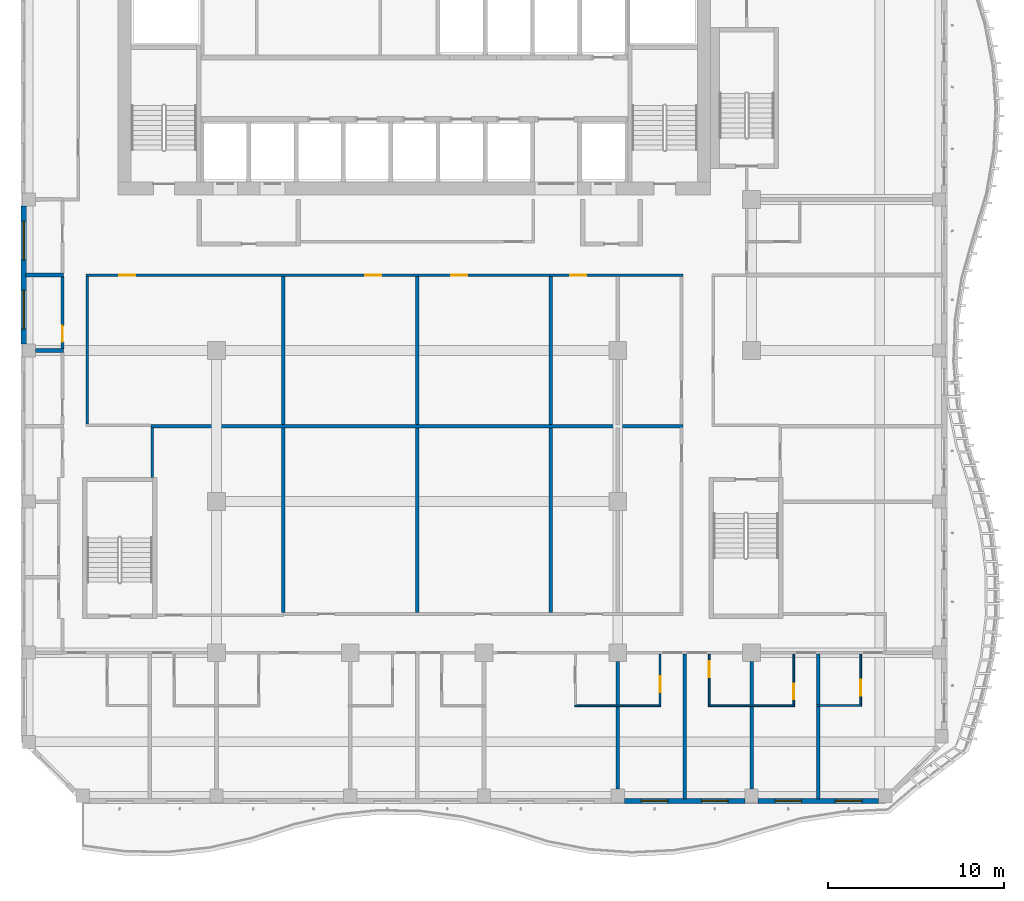
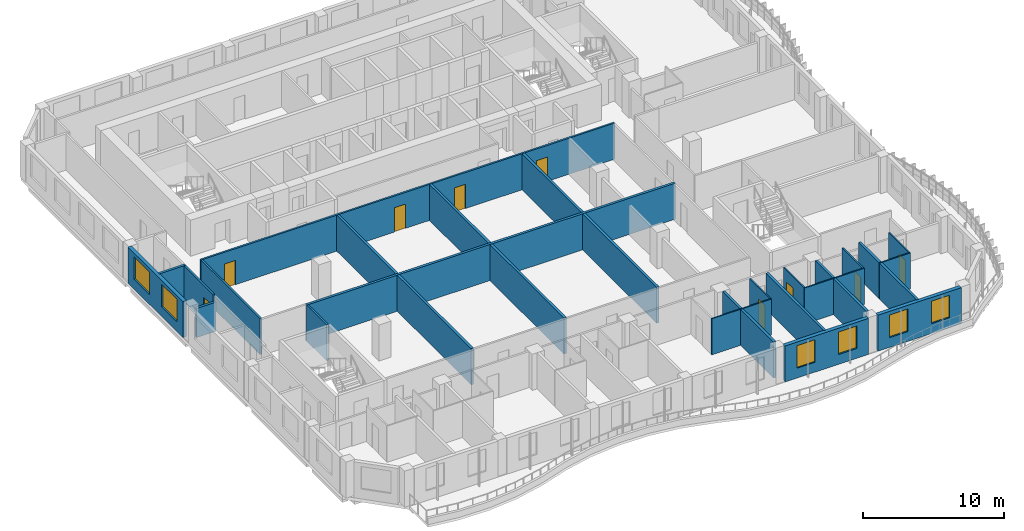
# One storey, part 4 of 21: 30 walls, 9 doors, 6 windows, 15 openings.
"""IFC4 building model written with IfcOpenShell, lengths in metres."""

from ifc_helpers import new_model, si_unit, direction, frame, frame_2d, origin, place, context, subcontext, project, spatial, rectangle, extrude, source, transform, mapped, material, layer, layer_set, type_object, element, fill, save


model = new_model("IFC4")

# Units and contexts
model_context = context("Model", 3, precision=1e-05, world=origin(), true_north=direction((0.0, 1.0)))
body_context = subcontext(model_context, "Body", "Model", "MODEL_VIEW")
ifc_project = project(units=[si_unit("LENGTHUNIT", "METRE"), si_unit("AREAUNIT", "SQUARE_METRE"), si_unit("VOLUMEUNIT", "CUBIC_METRE"), si_unit("PLANEANGLEUNIT", "RADIAN"), si_unit("MASSUNIT", "GRAM", prefix="KILO")], contexts=[model_context])

# Site, building, storey
site_placement = place(None, origin())
site = spatial("IfcSite", under=ifc_project, at=site_placement, CompositionType="ELEMENT")
building_placement = place(site_placement, origin())
building = spatial("IfcBuilding", under=site, at=building_placement, Name="Kilnfold Tower and Market Hall", CompositionType="ELEMENT")
storey_placement = place(building_placement, frame((0.0, 0.0, 216.89990234375)))
storey = spatial("IfcBuildingStorey", under=building, at=storey_placement, Name="L53", CompositionType="ELEMENT", Elevation=216.89990234375)

# Wall, opening, door
ifc_material_1 = material(Name="Gypsum board on steel studs", Category="steel")
ifc_layer_1 = layer(ifc_material_1, 0.14990234375)
ifc_layer_set_1 = layer_set([ifc_layer_1], Name="Gypsum board on steel studs")
wall_type_1 = type_object("IfcWallType", Name="WALL CORRIDOR 150", PredefinedType="PARTITIONING", material=ifc_layer_set_1)
wall_1_placement = place(storey_placement, frame((-18.89990234375, -0.471923828125, 0.0), z_axis=(0.0, 0.0, 1.0), x_axis=(0.0, 1.0, 0.0)))
wall_1 = element("IfcWall", 1, at=wall_1_placement, inside=storey, type_object=wall_type_1, Name="Partition LY31.15", PredefinedType="PARTITIONING", context=body_context, shape_type="SweptSolid", body=[
    extrude(rectangle(XDim=4.100830078125, YDim=0.14990234375, at=frame_2d((2.05029296875, 0.0))), origin(), (0.0, 0.0, 1.0), 3.1201171875),
])
opening_1_placement = place(wall_1_placement, frame((0.39990234375, 0.0, 0.0)))
opening_1 = element("IfcOpeningElement", 2, at=opening_1_placement, cuts=wall_1, Name="Opening D2", PredefinedType="OPENING", context=body_context, shape_type="SweptSolid", body=[
    extrude(rectangle(XDim=0.89990234375, YDim=2.10009765625, at=frame_2d((0.449951171875, 1.050048828125))), frame((0.0, 0.0849609375, 0.0), z_axis=(0.0, -1.0, 0.0), x_axis=(1.0, 0.0, 0.0)), (0.0, 0.0, 1.0), 0.169921875),
])
ifc_material_2 = material(Name="Timber veneer door leaf in steel frame", Category="steel")
door_type_1 = type_object("IfcDoorType", Name="DOOR ROOM 900 X2100", OperationType="NOTDEFINED", PredefinedType="DOOR", material=ifc_material_2)
door_1_placement = place(opening_1_placement, origin())
door_1 = element("IfcDoor", 3, at=door_1_placement, inside=storey, type_object=door_type_1, Name="Door D2", OperationType="SINGLE_SWING_LEFT", OverallHeight=2.10009765625, OverallWidth=0.89990234375, PredefinedType="DOOR", context=body_context, shape_type="SweptSolid", body=[
    extrude(rectangle(XDim=0.89990234375, YDim=2.10009765625, at=frame_2d((0.449951171875, 1.050048828125))), frame((0.0, 0.02490234375, 0.0), z_axis=(0.0, -1.0, 0.0), x_axis=(1.0, 0.0, 0.0)), (0.0, 0.0, 1.0), 0.050048828125),
])
fill(opening_1, door_1)

# Wall, openings, doors
wall_2_placement = place(storey_placement, frame((-17.574951171875, 3.699951171875, 0.0), z_axis=(0.0, 0.0, 1.0), x_axis=(1.0, 0.0, 0.0)))
wall_2 = element("IfcWall", 4, at=wall_2_placement, inside=storey, type_object=wall_type_1, Name="Partition LY31.35", PredefinedType="PARTITIONING", context=body_context, shape_type="SweptSolid", body=[
    extrude(rectangle(XDim=33.849853515625, YDim=0.14990234375, at=frame_2d((16.9248046875, 0.0))), origin(), (0.0, 0.0, 1.0), 3.1201171875),
])
opening_2_placement = place(wall_2_placement, frame((1.902099609375, 0.0, 0.0)))
opening_2 = element("IfcOpeningElement", 5, at=opening_2_placement, cuts=wall_2, Name="Opening D2", PredefinedType="OPENING", context=body_context, shape_type="SweptSolid", body=[
    extrude(rectangle(XDim=0.89990234375, YDim=2.10009765625, at=frame_2d((0.449951171875, 1.050048828125))), frame((0.0, 0.0849609375, 0.0), z_axis=(0.0, -1.0, 0.0), x_axis=(1.0, 0.0, 0.0)), (0.0, 0.0, 1.0), 0.169921875),
])
opening_3_placement = place(wall_2_placement, frame((15.841064453125, 0.0, 0.0)))
opening_3 = element("IfcOpeningElement", 6, at=opening_3_placement, cuts=wall_2, Name="Opening D2", PredefinedType="OPENING", context=body_context, shape_type="SweptSolid", body=[
    extrude(rectangle(XDim=0.89990234375, YDim=2.10009765625, at=frame_2d((0.449951171875, 1.050048828125))), frame((0.0, 0.0849609375, 0.0), z_axis=(0.0, -1.0, 0.0), x_axis=(1.0, 0.0, 0.0)), (0.0, 0.0, 1.0), 0.169921875),
])
opening_4_placement = place(wall_2_placement, frame((20.72412109375, 0.0, 0.0)))
opening_4 = element("IfcOpeningElement", 7, at=opening_4_placement, cuts=wall_2, Name="Opening D2", PredefinedType="OPENING", context=body_context, shape_type="SweptSolid", body=[
    extrude(rectangle(XDim=0.89990234375, YDim=2.10009765625, at=frame_2d((0.449951171875, 1.050048828125))), frame((0.0, 0.0849609375, 0.0), z_axis=(0.0, -1.0, 0.0), x_axis=(1.0, 0.0, 0.0)), (0.0, 0.0, 1.0), 0.169921875),
])
opening_5_placement = place(wall_2_placement, frame((27.4599609375, 0.0, 0.0)))
opening_5 = element("IfcOpeningElement", 8, at=opening_5_placement, cuts=wall_2, Name="Opening D2", PredefinedType="OPENING", context=body_context, shape_type="SweptSolid", body=[
    extrude(rectangle(XDim=0.89990234375, YDim=2.10009765625, at=frame_2d((0.449951171875, 1.050048828125))), frame((0.0, 0.0849609375, 0.0), z_axis=(0.0, -1.0, 0.0), x_axis=(1.0, 0.0, 0.0)), (0.0, 0.0, 1.0), 0.169921875),
])
door_2_placement = place(opening_2_placement, origin())
door_2 = element("IfcDoor", 9, at=door_2_placement, inside=storey, type_object=door_type_1, Name="Door D2", OperationType="SINGLE_SWING_RIGHT", OverallHeight=2.10009765625, OverallWidth=0.89990234375, PredefinedType="DOOR", context=body_context, shape_type="SweptSolid", body=[
    extrude(rectangle(XDim=0.89990234375, YDim=2.10009765625, at=frame_2d((0.449951171875, 1.050048828125))), frame((0.0, 0.02490234375, 0.0), z_axis=(0.0, -1.0, 0.0), x_axis=(1.0, 0.0, 0.0)), (0.0, 0.0, 1.0), 0.050048828125),
])
fill(opening_2, door_2)
door_3_placement = place(opening_3_placement, origin())
door_3 = element("IfcDoor", 10, at=door_3_placement, inside=storey, type_object=door_type_1, Name="Door D2", OperationType="SINGLE_SWING_LEFT", OverallHeight=2.10009765625, OverallWidth=0.89990234375, PredefinedType="DOOR", context=body_context, shape_type="SweptSolid", body=[
    extrude(rectangle(XDim=0.89990234375, YDim=2.10009765625, at=frame_2d((0.449951171875, 1.050048828125))), frame((0.0, 0.02490234375, 0.0), z_axis=(0.0, -1.0, 0.0), x_axis=(1.0, 0.0, 0.0)), (0.0, 0.0, 1.0), 0.050048828125),
])
fill(opening_3, door_3)
door_4_placement = place(opening_4_placement, origin())
door_4 = element("IfcDoor", 11, at=door_4_placement, inside=storey, type_object=door_type_1, Name="Door D2", OperationType="SINGLE_SWING_LEFT", OverallHeight=2.10009765625, OverallWidth=0.89990234375, PredefinedType="DOOR", context=body_context, shape_type="SweptSolid", body=[
    extrude(rectangle(XDim=0.89990234375, YDim=2.10009765625, at=frame_2d((0.449951171875, 1.050048828125))), frame((0.0, 0.02490234375, 0.0), z_axis=(0.0, -1.0, 0.0), x_axis=(1.0, 0.0, 0.0)), (0.0, 0.0, 1.0), 0.050048828125),
])
fill(opening_4, door_4)
door_5_placement = place(opening_5_placement, origin())
door_5 = element("IfcDoor", 12, at=door_5_placement, inside=storey, type_object=door_type_1, Name="Door D2", OperationType="SINGLE_SWING_RIGHT", OverallHeight=2.10009765625, OverallWidth=0.89990234375, PredefinedType="DOOR", context=body_context, shape_type="SweptSolid", body=[
    extrude(rectangle(XDim=0.89990234375, YDim=2.10009765625, at=frame_2d((0.449951171875, 1.050048828125))), frame((0.0, 0.02490234375, 0.0), z_axis=(0.0, -1.0, 0.0), x_axis=(1.0, 0.0, 0.0)), (0.0, 0.0, 1.0), 0.050048828125),
])
fill(opening_5, door_5)

# Walls
wall_3_placement = place(storey_placement, frame((-17.5, -4.72509765625, 0.0), z_axis=(0.0, 0.0, 1.0), x_axis=(0.0, 1.0, 0.0)))
element("IfcWall", 13, at=wall_3_placement, inside=storey, type_object=wall_type_1, Name="Partition LY31.36", PredefinedType="PARTITIONING", context=body_context, shape_type="SweptSolid", body=[
    extrude(rectangle(XDim=8.35009765625, YDim=0.14990234375, at=frame_2d((4.175048828125, 0.0))), origin(), (0.0, 0.0, 1.0), 3.1201171875),
])
wall_4_placement = place(storey_placement, frame((-13.800048828125, -7.75, 0.0), z_axis=(0.0, 0.0, 1.0), x_axis=(0.0, 1.0, 0.0)))
element("IfcWall", 14, at=wall_4_placement, inside=storey, type_object=wall_type_1, Name="Partition LY31.38", PredefinedType="PARTITIONING", context=body_context, shape_type="SweptSolid", body=[
    extrude(rectangle(XDim=2.81689453125, YDim=0.14990234375, at=frame_2d((1.408447265625, 0.0))), origin(), (0.0, 0.0, 1.0), 3.1201171875),
])
ifc_material_3 = material(Name="Gypsum board on steel studs", Category="steel")
ifc_layer_2 = layer(ifc_material_3, 0.10009765625)
ifc_layer_set_2 = layer_set([ifc_layer_2], Name="Gypsum board on steel studs")
wall_type_2 = type_object("IfcWallType", Name="WALL PARTITION 100", PredefinedType="PARTITIONING", material=ifc_layer_set_2)
wall_5_placement = place(storey_placement, frame((10.133056640625, -20.701904296875, 0.0), z_axis=(0.0, 0.0, 1.0), x_axis=(1.0, 0.0, 0.0)))
element("IfcWall", 15, at=wall_5_placement, inside=storey, type_object=wall_type_2, Name="Partition LY31.62", PredefinedType="PARTITIONING", context=body_context, shape_type="SweptSolid", body=[
    extrude(rectangle(XDim=4.89990234375, YDim=0.10009765625, at=frame_2d((2.449951171875, 0.0))), origin(), (0.0, 0.0, 1.0), 3.1201171875),
])

# Wall, opening, door
wall_6_placement = place(storey_placement, frame((14.98291015625, -17.777099609375, 0.0), z_axis=(0.0, 0.0, 1.0), x_axis=(0.0, -1.0, 0.0)))
wall_6 = element("IfcWall", 16, at=wall_6_placement, inside=storey, type_object=wall_type_2, Name="Partition LY31.65", PredefinedType="PARTITIONING", context=body_context, shape_type="SweptSolid", body=[
    extrude(rectangle(XDim=2.875, YDim=0.10009765625, at=frame_2d((1.4375, 0.0))), origin(), (0.0, 0.0, 1.0), 3.1201171875),
])
opening_6_placement = place(wall_6_placement, frame((1.25, 0.0, 0.0)))
opening_6 = element("IfcOpeningElement", 17, at=opening_6_placement, cuts=wall_6, Name="Opening D3", PredefinedType="OPENING", context=body_context, shape_type="SweptSolid", body=[
    extrude(rectangle(XDim=0.89990234375, YDim=2.10009765625, at=frame_2d((0.449951171875, 1.050048828125))), frame((0.0, 0.06005859375, 0.0), z_axis=(0.0, -1.0, 0.0), x_axis=(1.0, 0.0, 0.0)), (0.0, 0.0, 1.0), 0.1201171875),
])
ifc_material_4 = material(Name="Timber veneer door leaf in steel frame", Category="steel")
door_type_2 = type_object("IfcDoorType", Name="DOOR WC 900 X2100", OperationType="NOTDEFINED", PredefinedType="DOOR", material=ifc_material_4)
door_6_placement = place(opening_6_placement, origin())
door_6 = element("IfcDoor", 18, at=door_6_placement, inside=storey, type_object=door_type_2, Name="Door D3", OperationType="SINGLE_SWING_LEFT", OverallHeight=2.10009765625, OverallWidth=0.89990234375, PredefinedType="DOOR", context=body_context, shape_type="SweptSolid", body=[
    extrude(rectangle(XDim=0.89990234375, YDim=2.10009765625, at=frame_2d((0.449951171875, 1.050048828125))), frame((0.0, 0.02490234375, 0.0), z_axis=(0.0, -1.0, 0.0), x_axis=(1.0, 0.0, 0.0)), (0.0, 0.0, 1.0), 0.050048828125),
])
fill(opening_6, door_6)

wall_7_placement = place(storey_placement, frame((17.76708984375, -20.652099609375, 0.0), z_axis=(0.0, 0.0, 1.0), x_axis=(0.0, 1.0, 0.0)))
wall_7 = element("IfcWall", 19, at=wall_7_placement, inside=storey, type_object=wall_type_2, Name="Partition LY31.67", PredefinedType="PARTITIONING", context=body_context, shape_type="SweptSolid", body=[
    extrude(rectangle(XDim=2.875, YDim=0.10009765625, at=frame_2d((1.4375, 0.0))), origin(), (0.0, 0.0, 1.0), 3.1201171875),
])
opening_7_placement = place(wall_7_placement, frame((1.56494140625, 0.0, 0.0)))
opening_7 = element("IfcOpeningElement", 20, at=opening_7_placement, cuts=wall_7, Name="Opening D3", PredefinedType="OPENING", context=body_context, shape_type="SweptSolid", body=[
    extrude(rectangle(XDim=0.89990234375, YDim=2.10009765625, at=frame_2d((0.449951171875, 1.050048828125))), frame((0.0, 0.06005859375, 0.0), z_axis=(0.0, -1.0, 0.0), x_axis=(1.0, 0.0, 0.0)), (0.0, 0.0, 1.0), 0.1201171875),
])
door_7_placement = place(opening_7_placement, origin())
door_7 = element("IfcDoor", 21, at=door_7_placement, inside=storey, type_object=door_type_2, Name="Door D3", OperationType="SINGLE_SWING_RIGHT", OverallHeight=2.10009765625, OverallWidth=0.89990234375, PredefinedType="DOOR", context=body_context, shape_type="SweptSolid", body=[
    extrude(rectangle(XDim=0.89990234375, YDim=2.10009765625, at=frame_2d((0.449951171875, 1.050048828125))), frame((0.0, 0.02490234375, 0.0), z_axis=(0.0, -1.0, 0.0), x_axis=(1.0, 0.0, 0.0)), (0.0, 0.0, 1.0), 0.050048828125),
])
fill(opening_7, door_7)

# Wall
wall_8_placement = place(storey_placement, frame((17.717041015625, -20.701904296875, 0.0), z_axis=(0.0, 0.0, 1.0), x_axis=(1.0, 0.0, 0.0)))
element("IfcWall", 22, at=wall_8_placement, inside=storey, type_object=wall_type_2, Name="Partition LY31.68", PredefinedType="PARTITIONING", context=body_context, shape_type="SweptSolid", body=[
    extrude(rectangle(XDim=4.89990234375, YDim=0.10009765625, at=frame_2d((2.449951171875, 0.0))), origin(), (0.0, 0.0, 1.0), 3.1201171875),
])

# Wall, opening, door
wall_9_placement = place(storey_placement, frame((22.56689453125, -17.777099609375, 0.0), z_axis=(0.0, 0.0, 1.0), x_axis=(0.0, -1.0, 0.0)))
wall_9 = element("IfcWall", 23, at=wall_9_placement, inside=storey, type_object=wall_type_2, Name="Partition LY31.71", PredefinedType="PARTITIONING", context=body_context, shape_type="SweptSolid", body=[
    extrude(rectangle(XDim=2.875, YDim=0.10009765625, at=frame_2d((1.4375, 0.0))), origin(), (0.0, 0.0, 1.0), 3.1201171875),
])
opening_8_placement = place(wall_9_placement, frame((1.669921875, 0.0, 0.0)))
opening_8 = element("IfcOpeningElement", 24, at=opening_8_placement, cuts=wall_9, Name="Opening D3", PredefinedType="OPENING", context=body_context, shape_type="SweptSolid", body=[
    extrude(rectangle(XDim=0.89990234375, YDim=2.10009765625, at=frame_2d((0.449951171875, 1.050048828125))), frame((0.0, 0.06005859375, 0.0), z_axis=(0.0, -1.0, 0.0), x_axis=(1.0, 0.0, 0.0)), (0.0, 0.0, 1.0), 0.1201171875),
])
door_8_placement = place(opening_8_placement, origin())
door_8 = element("IfcDoor", 25, at=door_8_placement, inside=storey, type_object=door_type_2, Name="Door D3", OperationType="SINGLE_SWING_LEFT", OverallHeight=2.10009765625, OverallWidth=0.89990234375, PredefinedType="DOOR", context=body_context, shape_type="SweptSolid", body=[
    extrude(rectangle(XDim=0.89990234375, YDim=2.10009765625, at=frame_2d((0.449951171875, 1.050048828125))), frame((0.0, 0.02490234375, 0.0), z_axis=(0.0, -1.0, 0.0), x_axis=(1.0, 0.0, 0.0)), (0.0, 0.0, 1.0), 0.050048828125),
])
fill(opening_8, door_8)

# Wall
wall_10_placement = place(storey_placement, frame((23.85888671875, -20.68798828125, 0.0), z_axis=(0.0, 0.0, 1.0), x_axis=(1.0, 0.0, 0.0)))
element("IfcWall", 26, at=wall_10_placement, inside=storey, type_object=wall_type_2, Name="Partition LY31.74", PredefinedType="PARTITIONING", context=body_context, shape_type="SweptSolid", body=[
    extrude(rectangle(XDim=2.550048828125, YDim=0.10009765625, at=frame_2d((1.27490234375, 0.0))), origin(), (0.0, 0.0, 1.0), 3.1201171875),
])

# Wall, opening, door
wall_11_placement = place(storey_placement, frame((26.35888671875, -17.777099609375, 0.0), z_axis=(0.0, 0.0, 1.0), x_axis=(0.0, -1.0, 0.0)))
wall_11 = element("IfcWall", 27, at=wall_11_placement, inside=storey, type_object=wall_type_2, Name="Partition LY31.75", PredefinedType="PARTITIONING", context=body_context, shape_type="SweptSolid", body=[
    extrude(rectangle(XDim=2.86083984375, YDim=0.10009765625, at=frame_2d((1.430419921875, 0.0))), origin(), (0.0, 0.0, 1.0), 3.1201171875),
])
opening_9_placement = place(wall_11_placement, frame((1.448974609375, 0.0, 0.0)))
opening_9 = element("IfcOpeningElement", 28, at=opening_9_placement, cuts=wall_11, Name="Opening D3", PredefinedType="OPENING", context=body_context, shape_type="SweptSolid", body=[
    extrude(rectangle(XDim=0.89990234375, YDim=2.10009765625, at=frame_2d((0.449951171875, 1.050048828125))), frame((0.0, 0.06005859375, 0.0), z_axis=(0.0, -1.0, 0.0), x_axis=(1.0, 0.0, 0.0)), (0.0, 0.0, 1.0), 0.1201171875),
])
door_9_placement = place(opening_9_placement, origin())
door_9 = element("IfcDoor", 29, at=door_9_placement, inside=storey, type_object=door_type_2, Name="Door D3", OperationType="SINGLE_SWING_LEFT", OverallHeight=2.10009765625, OverallWidth=0.89990234375, PredefinedType="DOOR", context=body_context, shape_type="SweptSolid", body=[
    extrude(rectangle(XDim=0.89990234375, YDim=2.10009765625, at=frame_2d((0.449951171875, 1.050048828125))), frame((0.0, 0.02490234375, 0.0), z_axis=(0.0, -1.0, 0.0), x_axis=(1.0, 0.0, 0.0)), (0.0, 0.0, 1.0), 0.050048828125),
])
fill(opening_9, door_9)

# Walls
ifc_material_5 = material(Name="Gypsum board on steel studs", Category="steel")
ifc_layer_3 = layer(ifc_material_5, 0.199951171875)
ifc_layer_set_3 = layer_set([ifc_layer_3], Name="Gypsum board on steel studs")
wall_type_3 = type_object("IfcWallType", Name="WALL PARTY 200", PredefinedType="PARTITIONING", material=ifc_layer_set_3)
wall_12_placement = place(storey_placement, frame((12.5830078125, -25.425048828125, 0.0), z_axis=(0.0, 0.0, 1.0), x_axis=(0.0, 1.0, 0.0)))
element("IfcWall", 30, at=wall_12_placement, inside=storey, type_object=wall_type_3, Name="Partition LY31.63", PredefinedType="PARTITIONING", context=body_context, shape_type="SweptSolid", body=[
    extrude(rectangle(XDim=4.673095703125, YDim=0.199951171875, at=frame_2d((2.33642578125, 0.0))), origin(), (0.0, 0.0, 1.0), 3.1201171875),
])
wall_13_placement = place(storey_placement, frame((12.5830078125, -20.652099609375, 0.0), z_axis=(0.0, 0.0, 1.0), x_axis=(0.0, 1.0, 0.0)))
element("IfcWall", 31, at=wall_13_placement, inside=storey, type_object=wall_type_3, Name="Partition LY31.64", PredefinedType="PARTITIONING", context=body_context, shape_type="SweptSolid", body=[
    extrude(rectangle(XDim=2.464111328125, YDim=0.199951171875, at=frame_2d((1.23193359375, 0.0))), origin(), (0.0, 0.0, 1.0), 3.1201171875),
])
wall_14_placement = place(storey_placement, frame((16.375, -26.0, 0.0), z_axis=(0.0, 0.0, 1.0), x_axis=(0.0, 1.0, 0.0)))
element("IfcWall", 32, at=wall_14_placement, inside=storey, type_object=wall_type_3, Name="Partition LY31.66", PredefinedType="PARTITIONING", context=body_context, shape_type="SweptSolid", body=[
    extrude(rectangle(XDim=8.222900390625, YDim=0.199951171875, at=frame_2d((4.111328125, 0.0))), origin(), (0.0, 0.0, 1.0), 3.1201171875),
])
wall_15_placement = place(storey_placement, frame((20.1669921875, -25.425048828125, 0.0), z_axis=(0.0, 0.0, 1.0), x_axis=(0.0, 1.0, 0.0)))
element("IfcWall", 33, at=wall_15_placement, inside=storey, type_object=wall_type_3, Name="Partition LY31.69", PredefinedType="PARTITIONING", context=body_context, shape_type="SweptSolid", body=[
    extrude(rectangle(XDim=4.673095703125, YDim=0.199951171875, at=frame_2d((2.33642578125, 0.0))), origin(), (0.0, 0.0, 1.0), 3.1201171875),
])
wall_16_placement = place(storey_placement, frame((20.1669921875, -20.652099609375, 0.0), z_axis=(0.0, 0.0, 1.0), x_axis=(0.0, 1.0, 0.0)))
element("IfcWall", 34, at=wall_16_placement, inside=storey, type_object=wall_type_3, Name="Partition LY31.70", PredefinedType="PARTITIONING", context=body_context, shape_type="SweptSolid", body=[
    extrude(rectangle(XDim=2.464111328125, YDim=0.199951171875, at=frame_2d((1.23193359375, 0.0))), origin(), (0.0, 0.0, 1.0), 3.1201171875),
])
wall_17_placement = place(storey_placement, frame((23.958984375, -26.0, 0.0), z_axis=(0.0, 0.0, 1.0), x_axis=(0.0, 1.0, 0.0)))
element("IfcWall", 35, at=wall_17_placement, inside=storey, type_object=wall_type_3, Name="Partition LY31.72", PredefinedType="PARTITIONING", context=body_context, shape_type="SweptSolid", body=[
    extrude(rectangle(XDim=5.27197265625, YDim=0.199951171875, at=frame_2d((2.635986328125, 0.0))), origin(), (0.0, 0.0, 1.0), 3.1201171875),
])
wall_18_placement = place(storey_placement, frame((23.958984375, -20.64794921875, 0.0), z_axis=(0.0, 0.0, 1.0), x_axis=(0.0, 1.0, 0.0)))
element("IfcWall", 36, at=wall_18_placement, inside=storey, type_object=wall_type_3, Name="Partition LY31.73", PredefinedType="PARTITIONING", context=body_context, shape_type="SweptSolid", body=[
    extrude(rectangle(XDim=2.870849609375, YDim=0.199951171875, at=frame_2d((1.435546875, 0.0))), origin(), (0.0, 0.0, 1.0), 3.1201171875),
])
wall_19_placement = place(storey_placement, frame((-18.826904296875, -0.56201171875, 0.0), z_axis=(0.0, 0.0, 1.0), x_axis=(-1.0, 0.0, 0.0)))
element("IfcWall", 37, at=wall_19_placement, inside=storey, type_object=wall_type_3, Name="Partition LY31.82", PredefinedType="PARTITIONING", context=body_context, shape_type="SweptSolid", body=[
    extrude(rectangle(XDim=1.59814453125, YDim=0.199951171875, at=frame_2d((0.799072265625, 0.0))), origin(), (0.0, 0.0, 1.0), 2.52001953125),
])
wall_20_placement = place(storey_placement, frame((-21.0, 3.718994140625, 0.0), z_axis=(0.0, 0.0, 1.0), x_axis=(1.0, 0.0, 0.0)))
element("IfcWall", 38, at=wall_20_placement, inside=storey, type_object=wall_type_3, Name="Partition LY31.83", PredefinedType="PARTITIONING", context=body_context, shape_type="SweptSolid", body=[
    extrude(rectangle(XDim=2.173095703125, YDim=0.199951171875, at=frame_2d((1.08642578125, 0.0))), origin(), (0.0, 0.0, 1.0), 3.1201171875),
])
wall_21_placement = place(storey_placement, frame((-6.375, -4.742919921875, 0.0), z_axis=(0.0, 0.0, 1.0), x_axis=(0.0, 1.0, 0.0)))
element("IfcWall", 39, at=wall_21_placement, inside=storey, type_object=wall_type_3, Name="Partition LY31.95", PredefinedType="PARTITIONING", context=body_context, shape_type="SweptSolid", body=[
    extrude(rectangle(XDim=8.365966796875, YDim=0.199951171875, at=frame_2d((4.18310546875, 0.0))), origin(), (0.0, 0.0, 1.0), 3.1201171875),
])
wall_22_placement = place(storey_placement, frame((-13.873046875, -4.843017578125, 0.0), z_axis=(0.0, 0.0, 1.0), x_axis=(1.0, 0.0, 0.0)))
element("IfcWall", 40, at=wall_22_placement, inside=storey, type_object=wall_type_3, Name="Partition LY31.96", PredefinedType="PARTITIONING", context=body_context, shape_type="SweptSolid", body=[
    extrude(rectangle(XDim=30.14599609375, YDim=0.199951171875, at=frame_2d((15.072998046875, 0.0))), origin(), (0.0, 0.0, 1.0), 3.1201171875),
])
for number, where, z_axis, x_axis, name in (
    (41, (1.2080078125, -4.742919921875, 0.0), (0.0, 0.0, 1.0), (0.0, 1.0, 0.0), "Partition LY31.97"),
    (42, (8.791015625, -4.742919921875, 0.0), (0.0, 0.0, 1.0), (0.0, 1.0, 0.0), "Partition LY31.98"),
):
    element("IfcWall", number, at=place(storey_placement, frame(where, z_axis=z_axis, x_axis=x_axis)), inside=storey, type_object=wall_type_3, Name=name, PredefinedType="PARTITIONING", context=body_context, shape_type="SweptSolid", body=[
        extrude(rectangle(XDim=8.365966796875, YDim=0.199951171875, at=frame_2d((4.18310546875, 0.0))), origin(), (0.0, 0.0, 1.0), 3.1201171875),
    ])
for number, where, z_axis, x_axis, name in (
    (43, (-6.375, -15.423095703125, 0.0), (0.0, 0.0, 1.0), (0.0, 1.0, 0.0), "Partition LY31.101"),
    (44, (1.2080078125, -15.423095703125, 0.0), (0.0, 0.0, 1.0), (0.0, 1.0, 0.0), "Partition LY31.102"),
    (45, (8.791015625, -15.423095703125, 0.0), (0.0, 0.0, 1.0), (0.0, 1.0, 0.0), "Partition LY31.103"),
):
    element("IfcWall", number, at=place(storey_placement, frame(where, z_axis=z_axis, x_axis=x_axis)), inside=storey, type_object=wall_type_3, Name=name, PredefinedType="PARTITIONING", context=body_context, shape_type="SweptSolid", body=[
        extrude(rectangle(XDim=10.47998046875, YDim=0.199951171875, at=frame_2d((5.239990234375, 0.0))), origin(), (0.0, 0.0, 1.0), 3.1201171875),
    ])

# Wall, openings, windows
ifc_material_6 = material(Name="Precast concrete C50/60", Category="concrete")
ifc_layer_4 = layer(ifc_material_6, 0.300048828125)
ifc_layer_set_4 = layer_set([ifc_layer_4], Name="Precast concrete C50/60")
wall_type_4 = type_object("IfcWallType", Name="PRECAST WALL 300", PredefinedType="SOLIDWALL", material=ifc_layer_set_4)
shared_shape_1 = source(origin(), body_context, "Body", "SweptSolid", [
    extrude(rectangle(XDim=6.833251953125, YDim=0.300048828125, at=frame_2d((3.41650390625, 0.0))), origin(), (0.0, 0.0, 1.0), 3.1201171875),
])
wall_23_placement = place(storey_placement, frame((20.541748046875, -26.10009765625, 0.0), z_axis=(0.0, 0.0, 1.0), x_axis=(1.0, 0.0, 0.0)))
wall_23 = element("IfcWall", 46, at=wall_23_placement, inside=storey, type_object=wall_type_4, Name="External wall L53 S", PredefinedType="SOLIDWALL", context=body_context, shape_type="MappedRepresentation", body=[
    mapped(shared_shape_1, transform((0.0, 0.0, 0.0))),
])
opening_10_placement = place(wall_23_placement, frame((0.958251953125, 0.0, 0.85009765625)))
opening_10 = element("IfcOpeningElement", 47, at=opening_10_placement, cuts=wall_23, Name="Opening W4", PredefinedType="OPENING", context=body_context, shape_type="SweptSolid", body=[
    extrude(rectangle(XDim=1.5, YDim=1.949951171875, at=frame_2d((0.75, 0.97509765625))), frame((0.0, 0.16015625, 0.0), z_axis=(0.0, -1.0, 0.0), x_axis=(1.0, 0.0, 0.0)), (0.0, 0.0, 1.0), 0.320068359375),
])
opening_11_placement = place(wall_23_placement, frame((4.375, 0.0, 0.85009765625)))
opening_11 = element("IfcOpeningElement", 48, at=opening_11_placement, cuts=wall_23, Name="Opening W4", PredefinedType="OPENING", context=body_context, shape_type="SweptSolid", body=[
    extrude(rectangle(XDim=1.5, YDim=1.949951171875, at=frame_2d((0.75, 0.97509765625))), frame((0.0, 0.16015625, 0.0), z_axis=(0.0, -1.0, 0.0), x_axis=(1.0, 0.0, 0.0)), (0.0, 0.0, 1.0), 0.320068359375),
])
ifc_material_7 = material(Name="Aluminium frame and double glazing", Category="aluminium")
window_type_1 = type_object("IfcWindowType", Name="WINDOW W4 1500X1950", PartitioningType="SINGLE_PANEL", PredefinedType="WINDOW", material=ifc_material_7)
window_1_placement = place(opening_10_placement, origin())
window_1 = element("IfcWindow", 49, at=window_1_placement, inside=storey, type_object=window_type_1, Name="Window W4 L53 S-1", OverallHeight=1.949951171875, OverallWidth=1.5, PartitioningType="SINGLE_PANEL", PredefinedType="WINDOW", context=body_context, shape_type="SweptSolid", body=[
    extrude(rectangle(XDim=1.5, YDim=1.949951171875, at=frame_2d((0.75, 0.97509765625))), frame((0.0, 0.030029296875, 0.0), z_axis=(0.0, -1.0, 0.0), x_axis=(1.0, 0.0, 0.0)), (0.0, 0.0, 1.0), 0.06005859375),
])
fill(opening_10, window_1)
window_2_placement = place(opening_11_placement, origin())
window_2 = element("IfcWindow", 50, at=window_2_placement, inside=storey, type_object=window_type_1, Name="Window W4 L53 S-2", OverallHeight=1.949951171875, OverallWidth=1.5, PartitioningType="SINGLE_PANEL", PredefinedType="WINDOW", context=body_context, shape_type="SweptSolid", body=[
    extrude(rectangle(XDim=1.5, YDim=1.949951171875, at=frame_2d((0.75, 0.97509765625))), frame((0.0, 0.030029296875, 0.0), z_axis=(0.0, -1.0, 0.0), x_axis=(1.0, 0.0, 0.0)), (0.0, 0.0, 1.0), 0.06005859375),
])
fill(opening_11, window_2)

shared_shape_2 = source(origin(), body_context, "Body", "SweptSolid", [
    extrude(rectangle(XDim=6.83349609375, YDim=0.300048828125, at=frame_2d((3.416748046875, 0.0))), origin(), (0.0, 0.0, 1.0), 3.1201171875),
])
wall_24_placement = place(storey_placement, frame((12.958251953125, -26.10009765625, 0.0), z_axis=(0.0, 0.0, 1.0), x_axis=(1.0, 0.0, 0.0)))
wall_24 = element("IfcWall", 51, at=wall_24_placement, inside=storey, type_object=wall_type_4, Name="External wall L53 S", PredefinedType="SOLIDWALL", context=body_context, shape_type="MappedRepresentation", body=[
    mapped(shared_shape_2, transform((0.0, 0.0, 0.0))),
])
opening_12_placement = place(wall_24_placement, frame((0.958251953125, 0.0, 0.85009765625)))
opening_12 = element("IfcOpeningElement", 52, at=opening_12_placement, cuts=wall_24, Name="Opening W4", PredefinedType="OPENING", context=body_context, shape_type="SweptSolid", body=[
    extrude(rectangle(XDim=1.5, YDim=1.949951171875, at=frame_2d((0.75, 0.97509765625))), frame((0.0, 0.16015625, 0.0), z_axis=(0.0, -1.0, 0.0), x_axis=(1.0, 0.0, 0.0)), (0.0, 0.0, 1.0), 0.320068359375),
])
opening_13_placement = place(wall_24_placement, frame((4.375, 0.0, 0.85009765625)))
opening_13 = element("IfcOpeningElement", 53, at=opening_13_placement, cuts=wall_24, Name="Opening W4", PredefinedType="OPENING", context=body_context, shape_type="SweptSolid", body=[
    extrude(rectangle(XDim=1.5, YDim=1.949951171875, at=frame_2d((0.75, 0.97509765625))), frame((0.0, 0.16015625, 0.0), z_axis=(0.0, -1.0, 0.0), x_axis=(1.0, 0.0, 0.0)), (0.0, 0.0, 1.0), 0.320068359375),
])
window_3_placement = place(opening_12_placement, origin())
window_3 = element("IfcWindow", 54, at=window_3_placement, inside=storey, type_object=window_type_1, Name="Window W4 L53 S-1", OverallHeight=1.949951171875, OverallWidth=1.5, PartitioningType="SINGLE_PANEL", PredefinedType="WINDOW", context=body_context, shape_type="SweptSolid", body=[
    extrude(rectangle(XDim=1.5, YDim=1.949951171875, at=frame_2d((0.75, 0.97509765625))), frame((0.0, 0.030029296875, 0.0), z_axis=(0.0, -1.0, 0.0), x_axis=(1.0, 0.0, 0.0)), (0.0, 0.0, 1.0), 0.06005859375),
])
fill(opening_12, window_3)
window_4_placement = place(opening_13_placement, origin())
window_4 = element("IfcWindow", 55, at=window_4_placement, inside=storey, type_object=window_type_1, Name="Window W4 L53 S-2", OverallHeight=1.949951171875, OverallWidth=1.5, PartitioningType="SINGLE_PANEL", PredefinedType="WINDOW", context=body_context, shape_type="SweptSolid", body=[
    extrude(rectangle(XDim=1.5, YDim=1.949951171875, at=frame_2d((0.75, 0.97509765625))), frame((0.0, 0.030029296875, 0.0), z_axis=(0.0, -1.0, 0.0), x_axis=(1.0, 0.0, 0.0)), (0.0, 0.0, 1.0), 0.06005859375),
])
fill(opening_13, window_4)

shared_shape_3 = source(origin(), body_context, "Body", "SweptSolid", [
    extrude(rectangle(XDim=7.8125, YDim=0.300048828125, at=frame_2d((3.90625, 0.0))), origin(), (0.0, 0.0, 1.0), 3.1201171875),
])
wall_25_placement = place(storey_placement, frame((-21.10009765625, 7.625, 0.0), z_axis=(0.0, 0.0, 1.0), x_axis=(0.0, -1.0, 0.0)))
wall_25 = element("IfcWall", 56, at=wall_25_placement, inside=storey, type_object=wall_type_4, Name="External wall L53 W", PredefinedType="SOLIDWALL", context=body_context, shape_type="MappedRepresentation", body=[
    mapped(shared_shape_3, transform((0.0, 0.0, 0.0))),
])
opening_14_placement = place(wall_25_placement, frame((0.85302734375, 0.0, 0.85009765625)))
opening_14 = element("IfcOpeningElement", 57, at=opening_14_placement, cuts=wall_25, Name="Opening W2", PredefinedType="OPENING", context=body_context, shape_type="SweptSolid", body=[
    extrude(rectangle(XDim=2.199951171875, YDim=1.949951171875, at=frame_2d((1.10009765625, 0.97509765625))), frame((0.0, 0.16015625, 0.0), z_axis=(0.0, -1.0, 0.0), x_axis=(1.0, 0.0, 0.0)), (0.0, 0.0, 1.0), 0.320068359375),
])
opening_15_placement = place(wall_25_placement, frame((4.75927734375, 0.0, 0.85009765625)))
opening_15 = element("IfcOpeningElement", 58, at=opening_15_placement, cuts=wall_25, Name="Opening W2", PredefinedType="OPENING", context=body_context, shape_type="SweptSolid", body=[
    extrude(rectangle(XDim=2.199951171875, YDim=1.949951171875, at=frame_2d((1.10009765625, 0.97509765625))), frame((0.0, 0.16015625, 0.0), z_axis=(0.0, -1.0, 0.0), x_axis=(1.0, 0.0, 0.0)), (0.0, 0.0, 1.0), 0.320068359375),
])
ifc_material_8 = material(Name="Aluminium frame and double glazing", Category="aluminium")
window_type_2 = type_object("IfcWindowType", Name="WINDOW W2 2200X1950", PartitioningType="SINGLE_PANEL", PredefinedType="WINDOW", material=ifc_material_8)
window_5_placement = place(opening_14_placement, origin())
window_5 = element("IfcWindow", 59, at=window_5_placement, inside=storey, type_object=window_type_2, Name="Window W2 L53 W-1", OverallHeight=1.949951171875, OverallWidth=2.199951171875, PartitioningType="SINGLE_PANEL", PredefinedType="WINDOW", context=body_context, shape_type="SweptSolid", body=[
    extrude(rectangle(XDim=2.199951171875, YDim=1.949951171875, at=frame_2d((1.10009765625, 0.97509765625))), frame((0.0, 0.030029296875, 0.0), z_axis=(0.0, -1.0, 0.0), x_axis=(1.0, 0.0, 0.0)), (0.0, 0.0, 1.0), 0.06005859375),
])
fill(opening_14, window_5)
window_6_placement = place(opening_15_placement, origin())
window_6 = element("IfcWindow", 60, at=window_6_placement, inside=storey, type_object=window_type_2, Name="Window W2 L53 W-2", OverallHeight=1.949951171875, OverallWidth=2.199951171875, PartitioningType="SINGLE_PANEL", PredefinedType="WINDOW", context=body_context, shape_type="SweptSolid", body=[
    extrude(rectangle(XDim=2.199951171875, YDim=1.949951171875, at=frame_2d((1.10009765625, 0.97509765625))), frame((0.0, 0.030029296875, 0.0), z_axis=(0.0, -1.0, 0.0), x_axis=(1.0, 0.0, 0.0)), (0.0, 0.0, 1.0), 0.06005859375),
])
fill(opening_15, window_6)

save(model, "model.ifc")
